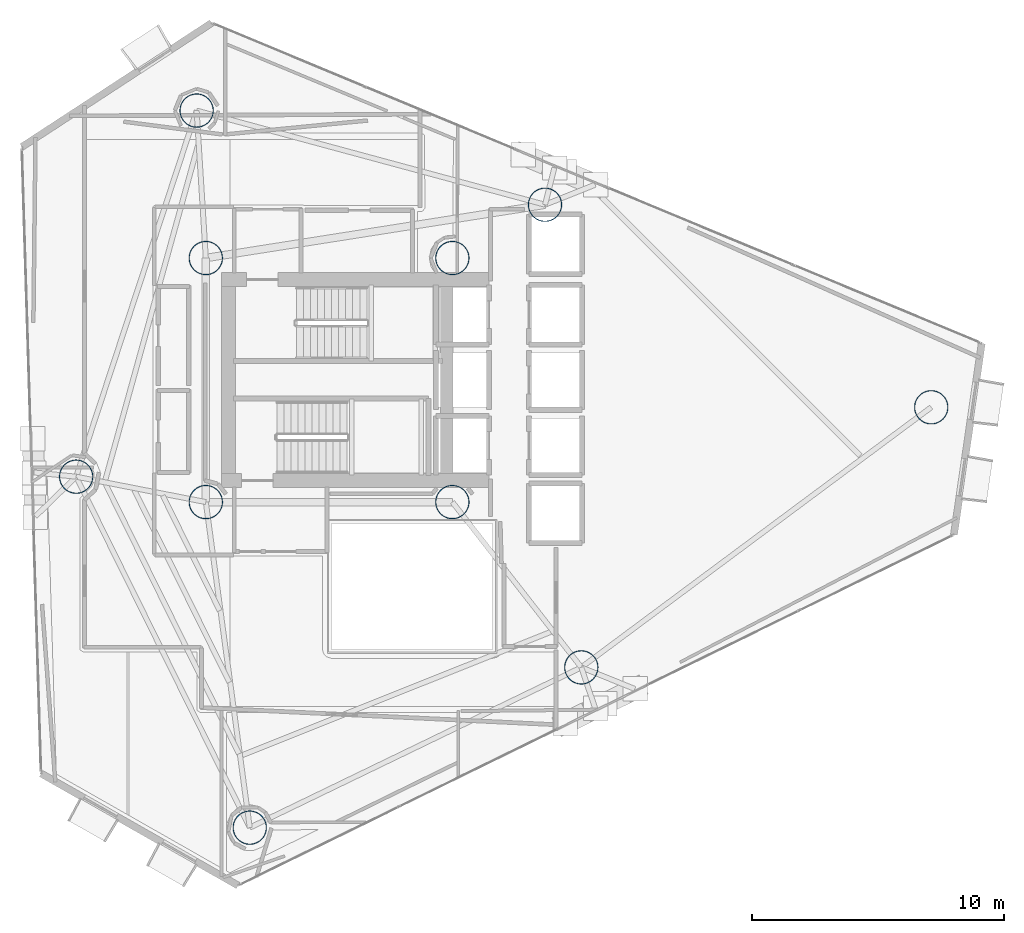
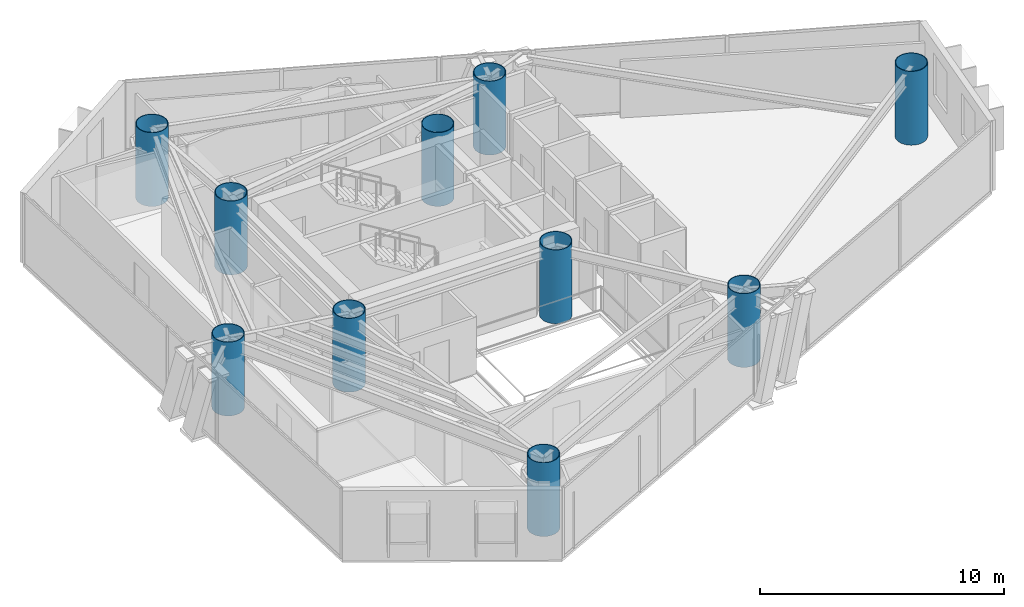
# One storey, part 1 of 23: 10 columns.
"""IFC4 building model written with IfcOpenShell, lengths in metres."""

import ifcopenshell
import ifcopenshell.guid

model = None  # the IFC model being written
_history = None  # IfcOwnerHistory: only IFC2X3 demands one
_inside = {}  # id of a spatial element -> (the spatial element, [elements in it])
_under = {}  # id of a project, library or spatial element -> (it, [spatial elements below it])
_declared = {}  # id of a project -> (the project, [libraries it declares])
_typed = {}  # id of a type object -> (the type object, [elements of that type])
_made_of = {}  # id of a material, layer set ... -> (it, [elements and type objects made of it])


def new_model(schema):
    """Start an empty IFC model of exactly this schema.

    Asked for "IFC4X3", IfcOpenShell would pick the latest addendum, in which some entities
    have other attributes; the version numbers below select the first issue.
    IFC2X3 requires an IfcOwnerHistory on every rooted entity: one is made here for all.
    """
    global model, _history
    if schema == "IFC4X3":
        model = ifcopenshell.file(schema_version=(4, 3, 0, 0))
    else:
        model = ifcopenshell.file(schema=schema)
    _inside.clear()
    _under.clear()
    _declared.clear()
    _typed.clear()
    _made_of.clear()
    _history = None
    if model.schema == "IFC2X3":
        org = make("IfcOrganization", Name="unknown")
        user = make(
            "IfcPersonAndOrganization",
            ThePerson=make("IfcPerson", FamilyName="unknown"),
            TheOrganization=org,
        )
        app = make(
            "IfcApplication",
            ApplicationDeveloper=org,
            Version="unknown",
            ApplicationFullName="unknown",
            ApplicationIdentifier="unknown",
        )
        _history = make(
            "IfcOwnerHistory",
            OwningUser=user,
            OwningApplication=app,
            ChangeAction="ADDED",
            CreationDate=0,
        )
    return model


def make(cls, **values):
    """One entity of the class cls with the attributes given. An attribute that is None is left unset."""
    return model.create_entity(
        cls, **{name: value for name, value in values.items() if value is not None}
    )


def rooted(cls, **values):
    """An entity with a GlobalId (a new one), such as an element, a storey or a relation."""
    return make(cls, GlobalId=ifcopenshell.guid.new(), OwnerHistory=_history, **values)


def si_unit(unit_type, name, prefix=None):
    """IfcSIUnit, for example si_unit("LENGTHUNIT", "METRE", prefix="MILLI")."""
    return make("IfcSIUnit", UnitType=unit_type, Prefix=prefix, Name=name)


def assignment(units):
    """IfcUnitAssignment: the units of a project."""
    return None if units is None else make("IfcUnitAssignment", Units=units)


def point(xyz):
    """IfcCartesianPoint."""
    return None if xyz is None else make("IfcCartesianPoint", Coordinates=xyz)


def direction(xyz):
    """IfcDirection."""
    return None if xyz is None else make("IfcDirection", DirectionRatios=xyz)


def frame(location, z_axis=None, x_axis=None):
    """IfcAxis2Placement3D, a coordinate frame: its origin and axes. An axis left out is left unset."""
    return make(
        "IfcAxis2Placement3D",
        Location=point(location),
        Axis=direction(z_axis),
        RefDirection=direction(x_axis),
    )


def frame_2d(location, x_axis=None):
    """IfcAxis2Placement2D, a coordinate frame in the plane: its origin and x axis."""
    return make(
        "IfcAxis2Placement2D", Location=point(location), RefDirection=direction(x_axis)
    )


def origin():
    """The frame at (0, 0, 0) with its axes left unset."""
    return frame((0.0, 0.0, 0.0))


def origin_2d():
    """The frame at (0, 0) in the plane with its x axis left unset."""
    return frame_2d((0.0, 0.0))


def place(relative_to, where):
    """IfcLocalPlacement: puts the frame where relative to a parent placement (None: the world)."""
    return make(
        "IfcLocalPlacement", PlacementRelTo=relative_to, RelativePlacement=where
    )


def context(
    kind, dimensions, precision=None, world=None, true_north=None, identifier=None
):
    """IfcGeometricRepresentationContext, for example the 3D "Model" context."""
    return make(
        "IfcGeometricRepresentationContext",
        ContextIdentifier=identifier,
        ContextType=kind,
        CoordinateSpaceDimension=dimensions,
        Precision=precision,
        WorldCoordinateSystem=world,
        TrueNorth=true_north,
    )


def subcontext(parent, identifier, kind, view, scale=None):
    """IfcGeometricRepresentationSubContext, for example "Body" below "Model"."""
    return make(
        "IfcGeometricRepresentationSubContext",
        ContextIdentifier=identifier,
        ContextType=kind,
        ParentContext=parent,
        TargetScale=scale,
        TargetView=view,
    )


def project(units=None, contexts=None):
    """IfcProject with its units and contexts."""
    return rooted(
        "IfcProject",
        Name="project",
        RepresentationContexts=contexts,
        UnitsInContext=assignment(units),
    )


def spatial(cls, under=None, at=None, **own):
    """A site, building, storey or space (cls), placed at a placement, below another one or the project."""
    s = rooted(cls, ObjectPlacement=at, **own)
    if under is not None:
        _under.setdefault(under.id(), (under, []))[1].append(s)
    return s


def profile(cls, at=None, kind="AREA", **sizes):
    """A parametric profile (cls). Its sizes go by their IFC names, for example OverallWidth=200.0."""
    return make(cls, ProfileType=kind, Position=at, **sizes)


def hollow_circle(**sizes):
    """IfcCircleHollowProfileDef."""
    return profile("IfcCircleHollowProfileDef", **sizes)


def extrude(swept, where, along, depth):
    """IfcExtrudedAreaSolid: the profile swept, set in the frame where, extruded along a direction by depth."""
    return make(
        "IfcExtrudedAreaSolid",
        SweptArea=swept,
        Position=where,
        ExtrudedDirection=direction(along),
        Depth=depth,
    )


def shape(context_of_items, identifier, shape_type, items):
    """IfcShapeRepresentation: the items that make up one representation, for example the "Body"."""
    return make(
        "IfcShapeRepresentation",
        ContextOfItems=context_of_items,
        RepresentationIdentifier=identifier,
        RepresentationType=shape_type,
        Items=items,
    )


def material(Name=None, Category=None):
    """IfcMaterial."""
    return make("IfcMaterial", Name=Name, Category=Category)


def material_profile(
    of_material, cross_section, Name=None, Category=None, Priority=None
):
    """IfcMaterialProfile: a cross section and its material."""
    return make(
        "IfcMaterialProfile",
        Name=Name,
        Material=of_material,
        Profile=cross_section,
        Priority=Priority,
        Category=Category,
    )


def profile_set(profiles, Name=None, composite=None):
    """IfcMaterialProfileSet."""
    return make(
        "IfcMaterialProfileSet",
        Name=Name,
        MaterialProfiles=profiles,
        CompositeProfile=composite,
    )


def made_of(thing, what):
    """Note that an element or type object is made of a material, layer set ...; save() writes the relation."""
    if what is not None:
        _made_of.setdefault(what.id(), (what, []))[1].append(thing)
    return thing


def type_object(cls, material=None, **own):
    """A type object (cls), such as IfcWallType, which elements share."""
    return made_of(rooted(cls, **own), material)


def element(
    cls,
    number,
    at=None,
    inside=None,
    cuts=None,
    type_object=None,
    material=None,
    context=None,
    identifier="Body",
    shape_type=None,
    held_by="IfcProductDefinitionShape",
    body=None,
    shapes=None,
    **own,
):
    """One element of the class cls, such as IfcWall. Its Tag is "e" and its number.

    at: its placement. inside: the storey or other place that contains it. cuts: it is an
    opening in that element (IfcRelVoidsElement). A single representation is given by context,
    identifier, shape_type and body (its items); several are given by shapes. held_by: the class
    of the entity that holds the representations. save() writes the other relations.
    """
    e = rooted(cls, Tag="e%d" % number, ObjectPlacement=at, **own)
    if body is not None:
        shapes = [shape(context, identifier, shape_type, body)]
    if shapes is not None:
        e.Representation = make(held_by, Representations=shapes)
    if inside is not None:
        _inside.setdefault(inside.id(), (inside, []))[1].append(e)
    if cuts is not None:
        rooted(
            "IfcRelVoidsElement", RelatingBuildingElement=cuts, RelatedOpeningElement=e
        )
    if type_object is not None:
        _typed.setdefault(type_object.id(), (type_object, []))[1].append(e)
    return made_of(e, material)


def aggregate(whole, parts):
    """IfcRelAggregates: a whole, such as a stair, and the parts it consists of."""
    return rooted("IfcRelAggregates", RelatingObject=whole, RelatedObjects=parts)


def save(model, path):
    """Write the relations noted so far, then the file.

    IfcRelAggregates (storeys below a building ...), IfcRelContainedInSpatialStructure (elements
    in a storey), IfcRelDefinesByType, IfcRelAssociatesMaterial and IfcRelDeclares: one each for
    every whole, place, type object, material and project.
    """
    for whole, parts in _under.values():
        aggregate(whole, parts)
    for where, things in _inside.values():
        rooted(
            "IfcRelContainedInSpatialStructure",
            RelatedElements=things,
            RelatingStructure=where,
        )
    for kind, things in _typed.values():
        rooted("IfcRelDefinesByType", RelatedObjects=things, RelatingType=kind)
    for what, things in _made_of.values():
        rooted("IfcRelAssociatesMaterial", RelatedObjects=things, RelatingMaterial=what)
    for by, libraries in _declared.values():
        rooted("IfcRelDeclares", RelatingContext=by, RelatedDefinitions=libraries)
    model.write(path)


model = new_model("IFC4")

# Units and contexts
model_context = context("Model", 3, precision=1e-05, world=origin(), true_north=direction((0.0, 1.0)))
body_context = subcontext(model_context, "Body", "Model", "MODEL_VIEW")
ifc_project = project(units=[si_unit("LENGTHUNIT", "METRE"), si_unit("AREAUNIT", "SQUARE_METRE"), si_unit("VOLUMEUNIT", "CUBIC_METRE"), si_unit("PLANEANGLEUNIT", "RADIAN"), si_unit("MASSUNIT", "GRAM", prefix="KILO")], contexts=[model_context])

# Site, building, storey
site_placement = place(None, origin())
site = spatial("IfcSite", under=ifc_project, at=site_placement, CompositionType="ELEMENT")
building_placement = place(site_placement, origin())
building = spatial("IfcBuilding", under=site, at=building_placement, Name="Qianvela Tower", CompositionType="ELEMENT")
storey_placement = place(building_placement, frame((0.0, 0.0, 162.39990234375)))
storey = spatial("IfcBuildingStorey", under=building, at=storey_placement, Name="L41", CompositionType="ELEMENT", Elevation=162.39990234375)

# Columns
ifc_material = material(Name="Steel Q420GJC", Category="steel")
ifc_material_profile = material_profile(ifc_material, hollow_circle(Radius=0.675048828125, WallThickness=0.031982421875, at=origin_2d()), Name="CFT-1350x32")
ifc_profile_set = profile_set([ifc_material_profile], Name="Steel Q420GJC")
column_type = type_object("IfcColumnType", Name="COL-CFT-1350x32", PredefinedType="COLUMN", material=ifc_profile_set)
for number, where, z_axis, x_axis, name in (
    (1, (28.60009765625, 33.550048828125, 0.0), (0.0, 0.0, 1.0), (1.0, 0.0, 0.0), "L41 Core Corner Mega-Column CC-NW"),
    (2, (28.60009765625, 23.85009765625, 0.0), (0.0, 0.0, 1.0), (1.0, 0.0, 0.0), "L41 Core Corner Mega-Column CC-SW"),
    (3, (38.39990234375, 33.550048828125, 0.0), (0.0, 0.0, 1.0), (1.0, 0.0, 0.0), "L41 Core Corner Mega-Column CC-NE"),
    (4, (38.39990234375, 23.85009765625, 0.0), (0.0, 0.0, 1.0), (1.0, 0.0, 0.0), "L41 Core Corner Mega-Column CC-SE"),
    (5, (57.43408203125, 27.617919921875, 0.0), (0.0, 0.0, 1.0), (1.0, 0.0, 0.0), "L41 Zone Z4 CFT Mega-Column C1"),
    (6, (42.0830078125, 35.6689453125, 0.0), (0.0, 0.0, 1.0), (1.0, 0.0, 0.0), "L41 Zone Z4 CFT Mega-Column C2"),
    (7, (28.235107421875, 39.410888671875, 0.0), (0.0, 0.0, 1.0), (1.0, 0.0, 0.0), "L41 Zone Z4 CFT Mega-Column C3"),
    (8, (23.446044921875, 24.85888671875, 0.0), (0.0, 0.0, 1.0), (1.0, 0.0, 0.0), "L41 Zone Z4 CFT Mega-Column C4"),
    (9, (30.346923828125, 10.908935546875, 0.0), (0.0, 0.0, 1.0), (1.0, 0.0, 0.0), "L41 Zone Z4 CFT Mega-Column C5"),
    (10, (43.52490234375, 17.279052734375, 0.0), (0.0, 0.0, 1.0), (1.0, 0.0, 0.0), "L41 Zone Z4 CFT Mega-Column C6"),
):
    element("IfcColumn", number, at=place(storey_placement, frame(where, z_axis=z_axis, x_axis=x_axis)), inside=storey, type_object=column_type, Name=name, PredefinedType="COLUMN", context=body_context, shape_type="SweptSolid", body=[
        extrude(hollow_circle(Radius=0.675048828125, WallThickness=0.031982421875, at=origin_2d()), origin(), (0.0, 0.0, 1.0), 3.7001953125),
    ])

save(model, "model.ifc")
